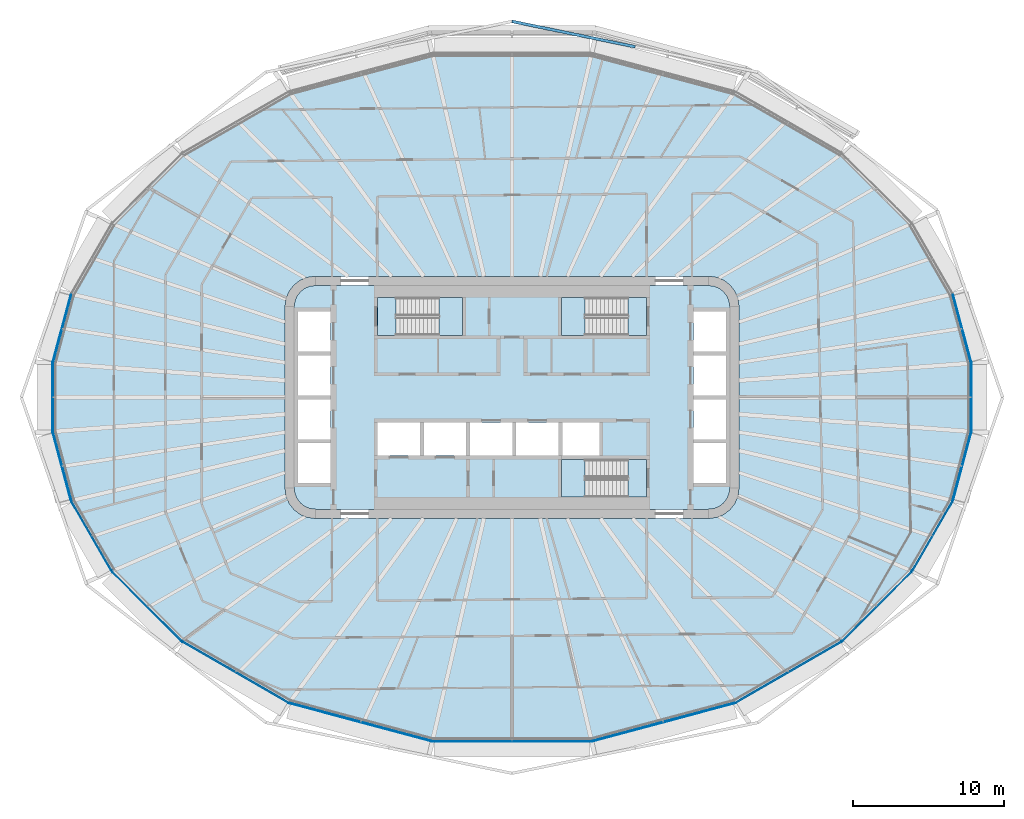
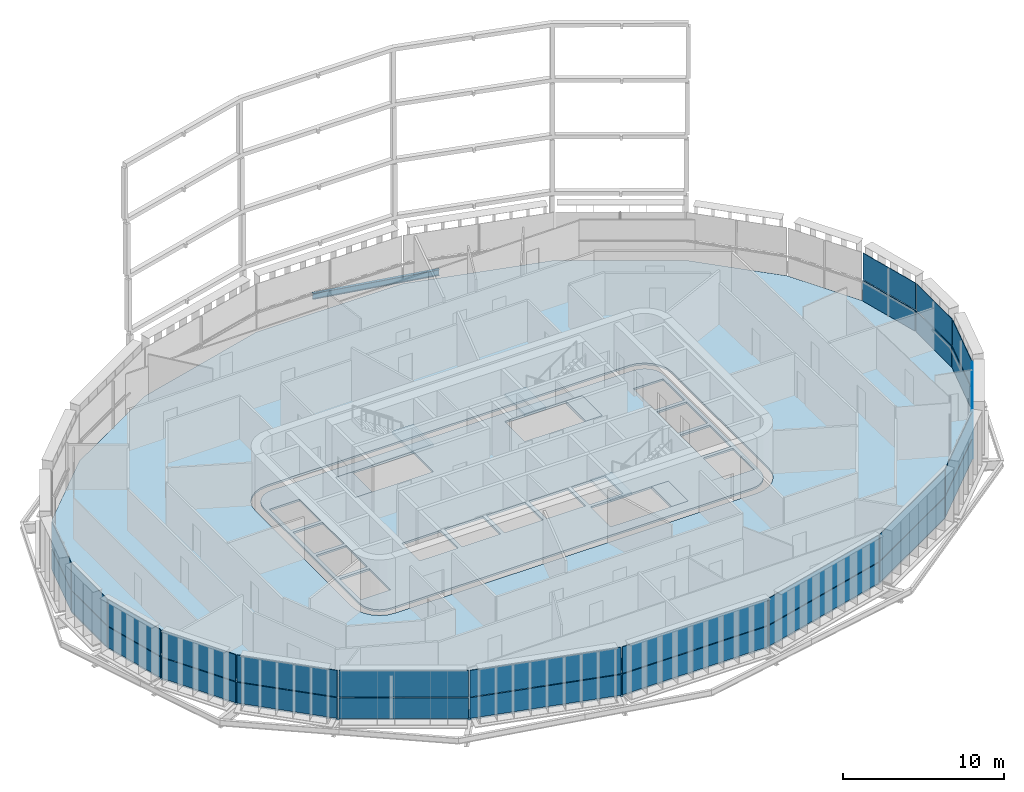
# One storey, part 9 of 22: 30 plates, 8 slabs, 1 beam, 18 elements without a shape of their own.
"""IFC4 building model written with IfcOpenShell, lengths in metres."""

from ifc_helpers import new_model, si_unit, direction, frame, origin, origin_2d, place, context, subcontext, project, spatial, polyline, i_section, outline, extrude, material, layer, layer_set, material_profile, profile_set, type_object, element, aggregate, save


model = new_model("IFC4")

# Units and contexts
model_context = context("Model", 3, precision=1e-05, world=origin(), true_north=direction((0.0, 1.0)))
body_context = subcontext(model_context, "Body", "Model", "MODEL_VIEW")
ifc_project = project(units=[si_unit("LENGTHUNIT", "METRE"), si_unit("AREAUNIT", "SQUARE_METRE"), si_unit("VOLUMEUNIT", "CUBIC_METRE"), si_unit("PLANEANGLEUNIT", "RADIAN"), si_unit("MASSUNIT", "GRAM", prefix="KILO")], contexts=[model_context])

# Site, building, storey
site_placement = place(None, origin())
site = spatial("IfcSite", under=ifc_project, at=site_placement, CompositionType="ELEMENT")
building_placement = place(site_placement, origin())
building = spatial("IfcBuilding", under=site, at=building_placement, Name="Sahrelin Media Tower", CompositionType="ELEMENT")
storey_placement = place(building_placement, frame((0.0, 0.0, 50.39990234375)))
storey = spatial("IfcBuildingStorey", under=building, at=storey_placement, Name="L07", CompositionType="ELEMENT", Elevation=50.39990234375)

# Beam
ifc_material_1 = material(Name="Steel S355", Category="steel")
ifc_material_profile = material_profile(ifc_material_1, i_section(OverallWidth=0.1904296875, OverallDepth=0.45703125, WebThickness=0.009033203125, FlangeThickness=0.014404296875, FilletRadius=0.01025390625, at=origin_2d()), Name="UB 457x191x74")
ifc_profile_set = profile_set([ifc_material_profile], Name="Steel S355")
beam_type = type_object("IfcBeamType", Name="Tie chord TC5", PredefinedType="BEAM", material=ifc_profile_set)
beam_placement = place(storey_placement, frame((0.0, 24.848388671875, -0.37841796875), z_axis=(0.979376603449, -0.202043234522, 0.0), x_axis=(0.202043234522, 0.979376603449, 0.0)))
element("IfcBeam", 1, at=beam_placement, inside=storey, type_object=beam_type, Name="Tie chord L07-19", PredefinedType="BEAM", context=body_context, shape_type="SweptSolid", body=[
    extrude(i_section(OverallWidth=0.1904296875, OverallDepth=0.45703125, WebThickness=0.009033203125, FlangeThickness=0.014404296875, FilletRadius=0.01025390625, at=origin_2d()), origin(), (0.0, 0.0, 1.0), 8.312255859375),
])

# Slabs
ifc_material_2 = material(Name="Concrete C40/50", Category="concrete")
ifc_layer_1 = layer(ifc_material_2, 0.14990234375)
ifc_layer_set_1 = layer_set([ifc_layer_1], Name="Composite floor slab 150")
slab_type_1 = type_object("IfcSlabType", Name="Composite floor slab 150", PredefinedType="FLOOR", material=ifc_layer_set_1)
placement_1 = place(storey_placement, frame((0.0, 0.0, -0.14990234375)))
element("IfcSlab", 2, at=placement_1, inside=storey, type_object=slab_type_1, Name="Floor slab L07", PredefinedType="FLOOR", context=body_context, shape_type="SweptSolid", body=[
    extrude(outline(polyline([(30.347412109375, -2.258544921875), (30.347412109375, 2.258544921875), (29.12451171875, 6.822998046875), (26.43408203125, 11.482666015625), (21.805908203125, 16.110595703125), (14.731689453125, 20.195068359375), (5.264404296875, 22.731689453125), (-5.264404296875, 22.731689453125), (-14.731689453125, 20.195068359375), (-21.805908203125, 16.110595703125), (-26.43408203125, 11.482666015625), (-29.12451171875, 6.822998046875), (-30.347412109375, 2.258544921875), (-30.347412109375, -2.258544921875), (-29.12451171875, -6.822998046875), (-26.43408203125, -11.482666015625), (-21.805908203125, -16.110595703125), (-14.731689453125, -20.195068359375), (-5.264404296875, -22.731689453125), (5.264404296875, -22.731689453125), (14.731689453125, -20.195068359375), (21.805908203125, -16.110595703125), (26.43408203125, -11.482666015625), (29.12451171875, -6.822998046875), (30.347412109375, -2.258544921875)]), holes=[polyline([(14.931884765625, 6.517578125), (15.0, 6.0), (15.0, -6.0), (14.931884765625, -6.517578125), (14.732177734375, -7.0), (14.414306640625, -7.414306640625), (14.0, -7.732177734375), (13.517578125, -7.931884765625), (13.0, -8.0), (-13.0, -8.0), (-13.517578125, -7.931884765625), (-14.0, -7.732177734375), (-14.414306640625, -7.414306640625), (-14.732177734375, -7.0), (-14.931884765625, -6.517578125), (-15.0, -6.0), (-15.0, 6.0), (-14.931884765625, 6.517578125), (-14.732177734375, 7.0), (-14.414306640625, 7.414306640625), (-14.0, 7.732177734375), (-13.517578125, 7.931884765625), (-13.0, 8.0), (13.0, 8.0), (13.517578125, 7.931884765625), (14.0, 7.732177734375), (14.414306640625, 7.414306640625), (14.732177734375, 7.0), (14.931884765625, 6.517578125)])]), origin(), (0.0, 0.0, 1.0), 0.14990234375),
])
ifc_layer_2 = layer(ifc_material_2, 0.14990234375)
ifc_layer_set_2 = layer_set([ifc_layer_2], Name="Core floor slab 150")
slab_type_2 = type_object("IfcSlabType", Name="Core floor slab 150", PredefinedType="FLOOR", material=ifc_layer_set_2)
element("IfcSlab", 3, at=placement_1, inside=storey, type_object=slab_type_2, Name="Core floor", PredefinedType="FLOOR", context=body_context, shape_type="SweptSolid", body=[
    extrude(outline(polyline([(-14.347412109375, 6.361083984375), (-14.39990234375, 5.960693359375), (-14.39990234375, -5.960693359375), (-14.347412109375, -6.361083984375), (-14.2080078125, -6.697509765625), (-13.986328125, -6.986328125), (-13.697509765625, -7.2080078125), (-13.361083984375, -7.347412109375), (-12.960693359375, -7.39990234375), (12.960693359375, -7.39990234375), (13.361083984375, -7.347412109375), (13.697509765625, -7.2080078125), (13.986328125, -6.986328125), (14.2080078125, -6.697509765625), (14.347412109375, -6.361083984375), (14.39990234375, -5.960693359375), (14.39990234375, 5.960693359375), (14.347412109375, 6.361083984375), (14.2080078125, 6.697509765625), (13.986328125, 6.986328125), (13.697509765625, 7.2080078125), (13.361083984375, 7.347412109375), (12.960693359375, 7.39990234375), (-12.960693359375, 7.39990234375), (-13.361083984375, 7.347412109375), (-13.697509765625, 7.2080078125), (-13.986328125, 6.986328125), (-14.2080078125, 6.697509765625), (-14.347412109375, 6.361083984375)]), holes=[polyline([(-12.0, 3.02490234375), (-12.0, 5.675048828125), (-14.14990234375, 5.675048828125), (-14.14990234375, 3.02490234375), (-12.0, 3.02490234375)]), polyline([(-14.14990234375, 0.125), (-12.0, 0.125), (-12.0, 2.77490234375), (-14.14990234375, 2.77490234375), (-14.14990234375, 0.125)]), polyline([(-14.14990234375, -0.125), (-14.14990234375, -2.77490234375), (-12.0, -2.77490234375), (-12.0, -0.125), (-14.14990234375, -0.125)]), polyline([(-12.0, -3.02490234375), (-14.14990234375, -3.02490234375), (-14.14990234375, -5.675048828125), (-12.0, -5.675048828125), (-12.0, -3.02490234375)]), polyline([(14.14990234375, 3.02490234375), (14.14990234375, 5.675048828125), (12.0, 5.675048828125), (12.0, 3.02490234375), (14.14990234375, 3.02490234375)]), polyline([(12.0, 0.125), (14.14990234375, 0.125), (14.14990234375, 2.77490234375), (12.0, 2.77490234375), (12.0, 0.125)]), polyline([(12.0, -0.125), (12.0, -2.77490234375), (14.14990234375, -2.77490234375), (14.14990234375, -0.125), (12.0, -0.125)]), polyline([(14.14990234375, -3.02490234375), (12.0, -3.02490234375), (12.0, -5.675048828125), (14.14990234375, -5.675048828125), (14.14990234375, -3.02490234375)]), polyline([(-6.074951171875, -3.85009765625), (-6.074951171875, -1.64990234375), (-8.875, -1.64990234375), (-8.875, -3.85009765625), (-6.074951171875, -3.85009765625)]), polyline([(-5.824951171875, -3.85009765625), (-3.02490234375, -3.85009765625), (-3.02490234375, -1.64990234375), (-5.824951171875, -1.64990234375), (-5.824951171875, -3.85009765625)]), polyline([(-2.77490234375, -1.64990234375), (-2.77490234375, -3.85009765625), (0.02490234375, -3.85009765625), (0.02490234375, -1.64990234375), (-2.77490234375, -1.64990234375)]), polyline([(3.074951171875, -1.64990234375), (0.27490234375, -1.64990234375), (0.27490234375, -3.85009765625), (3.074951171875, -3.85009765625), (3.074951171875, -1.64990234375)]), polyline([(5.77490234375, -3.85009765625), (5.77490234375, -1.64990234375), (3.324951171875, -1.64990234375), (3.324951171875, -3.85009765625), (5.77490234375, -3.85009765625)]), polyline([(-8.875, 6.60009765625), (-8.875, 4.10009765625), (-3.27490234375, 4.10009765625), (-3.27490234375, 6.60009765625), (-8.875, 6.60009765625)]), polyline([(3.27490234375, 4.10009765625), (8.875, 4.10009765625), (8.875, 6.60009765625), (3.27490234375, 6.60009765625), (3.27490234375, 4.10009765625)]), polyline([(3.27490234375, -4.10009765625), (3.27490234375, -6.60009765625), (8.875, -6.60009765625), (8.875, -4.10009765625), (3.27490234375, -4.10009765625)])]), origin(), (0.0, 0.0, 1.0), 0.14990234375),
])

# Curtain wall, plate
ifc_material_3 = material(Name="Champagne anodised aluminium 6063-T6", Category="aluminium")
ifc_layer_3 = layer(ifc_material_3, 0.14990234375)
ifc_layer_set_3 = layer_set([ifc_layer_3], Name="Tower ribbon curtain wall")
curtain_wall_type = type_object("IfcCurtainWallType", Name="Tower ribbon curtain wall", PredefinedType="NOTDEFINED", material=ifc_layer_set_3)
curtain_wall_1_placement = place(storey_placement, frame((30.3671875, 0.0, 0.0), z_axis=(0.0, 0.0, 1.0), x_axis=(1.0, 0.0, 0.0)))
curtain_wall_1 = element("IfcCurtainWall", 4, at=curtain_wall_1_placement, inside=storey, type_object=curtain_wall_type, Name="L07:CW:L07-00", PredefinedType="NOTDEFINED")
ifc_material_4 = material(Name="Clear low-iron glazing", Category="glass")
ifc_layer_4 = layer(ifc_material_4, 0.0400390625)
ifc_layer_set_4 = layer_set([ifc_layer_4], Name="Glazing panel 40 mm CW1")
plate_type_1 = type_object("IfcPlateType", Name="Glazing panel 40 mm CW1", PredefinedType="CURTAIN_PANEL", material=ifc_layer_set_4)
plate_1_placement = place(storey_placement, frame((30.38720703125, -2.211181640625, 1.630126953125), z_axis=(1.0, 0.0, 0.0), x_axis=(0.0, 1.0, 0.0)))
plate_1 = element("IfcPlate", 5, at=plate_1_placement, type_object=plate_type_1, Name="L07:CWP2:L07-00", PredefinedType="CURTAIN_PANEL", context=body_context, shape_type="SweptSolid", body=[
    extrude(outline(polyline([(0.0, 0.0), (4.42236328125, 0.0), (4.42236328125, 2.0185546875), (0.0, 2.0185546875), (0.0, 0.0)])), origin(), (0.0, 0.0, -1.0), 0.0400390625),
])

curtain_wall_2_placement = place(storey_placement, frame((29.755126953125, 4.5458984375, 0.0), z_axis=(0.0, 0.0, 1.0), x_axis=(1.0, 0.0, 0.0)))
curtain_wall_2 = element("IfcCurtainWall", 6, at=curtain_wall_2_placement, inside=storey, type_object=curtain_wall_type, Name="L07:CW:L07-01", PredefinedType="NOTDEFINED")
plate_2_placement = place(storey_placement, frame((30.373779296875, 2.314697265625, 1.630126953125), z_axis=(0.965927106832, 0.258814266003, 0.0), x_axis=(-0.258814266003, 0.965927106832, 0.0)))
plate_2 = element("IfcPlate", 7, at=plate_2_placement, type_object=plate_type_1, Name="L07:CWP2:L07-01", PredefinedType="CURTAIN_PANEL", context=body_context, shape_type="SweptSolid", body=[
    extrude(outline(polyline([(0.0, 0.0), (4.630615234375, 0.0), (4.630615234375, 2.0185546875), (0.0, 2.0185546875), (0.0, 0.0)])), origin(), (0.0, 0.0, -1.0), 0.0400390625),
])

curtain_wall_3_placement = place(storey_placement, frame((-29.755126953125, 4.5458984375, 0.0), z_axis=(0.0, 0.0, 1.0), x_axis=(1.0, 0.0, 0.0)))
curtain_wall_3 = element("IfcCurtainWall", 8, at=curtain_wall_3_placement, inside=storey, type_object=curtain_wall_type, Name="L07:CW:L07-11", PredefinedType="NOTDEFINED")
plate_3_placement = place(storey_placement, frame((-29.17529296875, 6.78759765625, 1.630126953125), z_axis=(-0.965927106832, 0.258814266003, 0.0), x_axis=(-0.258814266003, -0.965927106832, 0.0)))
plate_3 = element("IfcPlate", 9, at=plate_3_placement, type_object=plate_type_1, Name="L07:CWP2:L07-11", PredefinedType="CURTAIN_PANEL", context=body_context, shape_type="SweptSolid", body=[
    extrude(outline(polyline([(0.0, 0.0), (4.630615234375, 0.0), (4.630615234375, 2.0185546875), (0.0, 2.0185546875), (0.0, 0.0)])), origin(), (0.0, 0.0, -1.0), 0.0400390625),
])

curtain_wall_4_placement = place(storey_placement, frame((-30.3671875, 0.0, 0.0), z_axis=(0.0, 0.0, 1.0), x_axis=(1.0, 0.0, 0.0)))
curtain_wall_4 = element("IfcCurtainWall", 10, at=curtain_wall_4_placement, inside=storey, type_object=curtain_wall_type, Name="L07:CW:L07-12", PredefinedType="NOTDEFINED")
plate_4_placement = place(storey_placement, frame((-30.38720703125, 2.211181640625, 1.630126953125), z_axis=(-1.0, 0.0, 0.0), x_axis=(0.0, -1.0, 0.0)))
plate_4 = element("IfcPlate", 11, at=plate_4_placement, type_object=plate_type_1, Name="L07:CWP2:L07-12", PredefinedType="CURTAIN_PANEL", context=body_context, shape_type="SweptSolid", body=[
    extrude(outline(polyline([(0.0, 0.0), (4.42236328125, 0.0), (4.42236328125, 2.0185546875), (0.0, 2.0185546875), (0.0, 0.0)])), origin(), (0.0, 0.0, -1.0), 0.0400390625),
])

curtain_wall_5_placement = place(storey_placement, frame((-29.755126953125, -4.5458984375, 0.0), z_axis=(0.0, 0.0, 1.0), x_axis=(1.0, 0.0, 0.0)))
curtain_wall_5 = element("IfcCurtainWall", 12, at=curtain_wall_5_placement, inside=storey, type_object=curtain_wall_type, Name="L07:CW:L07-13", PredefinedType="NOTDEFINED")
plate_5_placement = place(storey_placement, frame((-30.373779296875, -2.314697265625, 1.630126953125), z_axis=(-0.965927106832, -0.258814266003, 0.0), x_axis=(0.258814266003, -0.965927106832, 0.0)))
plate_5 = element("IfcPlate", 13, at=plate_5_placement, type_object=plate_type_1, Name="L07:CWP2:L07-13", PredefinedType="CURTAIN_PANEL", context=body_context, shape_type="SweptSolid", body=[
    extrude(outline(polyline([(0.0, 0.0), (4.630615234375, 0.0), (4.630615234375, 2.0185546875), (0.0, 2.0185546875), (0.0, 0.0)])), origin(), (0.0, 0.0, -1.0), 0.0400390625),
])

curtain_wall_6_placement = place(storey_placement, frame((-27.79638671875, -9.162841796875, 0.0), z_axis=(0.0, 0.0, 1.0), x_axis=(1.0, 0.0, 0.0)))
curtain_wall_6 = element("IfcCurtainWall", 14, at=curtain_wall_6_placement, inside=storey, type_object=curtain_wall_type, Name="L07:CW:L07-14", PredefinedType="NOTDEFINED")
plate_6_placement = place(storey_placement, frame((-29.13525390625, -6.8837890625, 1.630126953125), z_axis=(-0.866023301845, -0.500003640647, 0.0), x_axis=(0.500003640647, -0.866023301845, 0.0)))
plate_6 = element("IfcPlate", 15, at=plate_6_placement, type_object=plate_type_1, Name="L07:CWP2:L07-14", PredefinedType="CURTAIN_PANEL", context=body_context, shape_type="SweptSolid", body=[
    extrude(outline(polyline([(0.0, 0.0), (5.2861328125, 0.0), (5.2861328125, 2.0185546875), (0.0, 2.0185546875), (0.0, 0.0)])), origin(), (0.0, 0.0, -1.0), 0.0400390625),
])

curtain_wall_7_placement = place(storey_placement, frame((-24.13427734375, -13.810791015625, 0.0), z_axis=(0.0, 0.0, 1.0), x_axis=(1.0, 0.0, 0.0)))
curtain_wall_7 = element("IfcCurtainWall", 16, at=curtain_wall_7_placement, inside=storey, type_object=curtain_wall_type, Name="L07:CW:L07-15", PredefinedType="NOTDEFINED")
plate_7_placement = place(storey_placement, frame((-26.4287109375, -11.54443359375, 1.630126953125), z_axis=(-0.707125706255, -0.707087855612, 0.0), x_axis=(0.707087855612, -0.707125706255, 0.0)))
plate_7 = element("IfcPlate", 17, at=plate_7_placement, type_object=plate_type_1, Name="L07:CWP2:L07-15", PredefinedType="CURTAIN_PANEL", context=body_context, shape_type="SweptSolid", body=[
    extrude(outline(polyline([(0.0, 0.0), (6.4501953125, 0.0), (6.4501953125, 2.0185546875), (0.0, 2.0185546875), (0.0, 0.0)])), origin(), (0.0, 0.0, -1.0), 0.0400390625),
])

curtain_wall_8_placement = place(storey_placement, frame((-18.27880859375, -18.170166015625, 0.0), z_axis=(0.0, 0.0, 1.0), x_axis=(1.0, 0.0, 0.0)))
curtain_wall_8 = element("IfcCurtainWall", 18, at=curtain_wall_8_placement, inside=storey, type_object=curtain_wall_type, Name="L07:CW:L07-16", PredefinedType="NOTDEFINED")
plate_8_placement = place(storey_placement, frame((-21.784912109375, -16.1689453125, 1.630126953125), z_axis=(-0.500015609314, -0.866016391555, 0.0), x_axis=(0.866016391555, -0.500015609314, 0.0)))
plate_8 = element("IfcPlate", 19, at=plate_8_placement, type_object=plate_type_1, Name="L07:CWP2:L07-16", PredefinedType="CURTAIN_PANEL", context=body_context, shape_type="SweptSolid", body=[
    extrude(outline(polyline([(0.0, 0.0), (8.073974609375, 0.0), (8.073974609375, 2.0185546875), (0.0, 2.0185546875), (0.0, 0.0)])), origin(), (0.0, 0.0, -1.0), 0.0400390625),
])

curtain_wall_9_placement = place(storey_placement, frame((-10.003173828125, -21.48291015625, 0.0), z_axis=(0.0, 0.0, 1.0), x_axis=(1.0, 0.0, 0.0)))
curtain_wall_9 = element("IfcCurtainWall", 20, at=curtain_wall_9_placement, inside=storey, type_object=curtain_wall_type, Name="L07:CW:L07-17", PredefinedType="NOTDEFINED")
plate_9_placement = place(storey_placement, frame((-14.6962890625, -20.24609375, 1.630126953125), z_axis=(-0.258811517238, -0.965927843343, 0.0), x_axis=(0.965927843343, -0.258811517238, 0.0)))
plate_9 = element("IfcPlate", 21, at=plate_9_placement, type_object=plate_type_1, Name="L07:CWP2:L07-17", PredefinedType="CURTAIN_PANEL", context=body_context, shape_type="SweptSolid", body=[
    extrude(outline(polyline([(0.0, 0.0), (9.706787109375, 0.0), (9.706787109375, 2.0185546875), (0.0, 2.0185546875), (0.0, 0.0)])), origin(), (0.0, 0.0, -1.0), 0.0400390625),
])

curtain_wall_10_placement = place(storey_placement, frame((0.0, -22.751708984375, 0.0), z_axis=(0.0, 0.0, 1.0), x_axis=(1.0, 0.0, 0.0)))
curtain_wall_10 = element("IfcCurtainWall", 22, at=curtain_wall_10_placement, inside=storey, type_object=curtain_wall_type, Name="L07:CW:L07-18", PredefinedType="NOTDEFINED")
plate_10_placement = place(storey_placement, frame((-5.216796875, -22.771728515625, 1.630126953125), z_axis=(0.0, -1.0, 0.0), x_axis=(1.0, 0.0, 0.0)))
plate_10 = element("IfcPlate", 23, at=plate_10_placement, type_object=plate_type_1, Name="L07:CWP2:L07-18", PredefinedType="CURTAIN_PANEL", context=body_context, shape_type="SweptSolid", body=[
    extrude(outline(polyline([(0.0, 0.0), (10.43359375, 0.0), (10.43359375, 2.0185546875), (0.0, 2.0185546875), (0.0, 0.0)])), origin(), (0.0, 0.0, -1.0), 0.0400390625),
])

curtain_wall_11_placement = place(storey_placement, frame((10.003173828125, -21.482666015625, 0.0), z_axis=(0.0, 0.0, 1.0), x_axis=(1.0, 0.0, 0.0)))
curtain_wall_11 = element("IfcCurtainWall", 24, at=curtain_wall_11_placement, inside=storey, type_object=curtain_wall_type, Name="L07:CW:L07-19", PredefinedType="NOTDEFINED")
plate_11_placement = place(storey_placement, frame((5.3203125, -22.75830078125, 1.630126953125), z_axis=(0.258811517238, -0.965927843343, 0.0), x_axis=(0.965927843343, 0.258811517238, 0.0)))
plate_11 = element("IfcPlate", 25, at=plate_11_placement, type_object=plate_type_1, Name="L07:CWP2:L07-19", PredefinedType="CURTAIN_PANEL", context=body_context, shape_type="SweptSolid", body=[
    extrude(outline(polyline([(0.0, 0.0), (9.706787109375, 0.0), (9.706787109375, 2.0185546875), (0.0, 2.0185546875), (0.0, 0.0)])), origin(), (0.0, 0.0, -1.0), 0.0400390625),
])

curtain_wall_12_placement = place(storey_placement, frame((18.27880859375, -18.170166015625, 0.0), z_axis=(0.0, 0.0, 1.0), x_axis=(1.0, 0.0, 0.0)))
curtain_wall_12 = element("IfcCurtainWall", 26, at=curtain_wall_12_placement, inside=storey, type_object=curtain_wall_type, Name="L07:CW:L07-20", PredefinedType="NOTDEFINED")
plate_12_placement = place(storey_placement, frame((14.792724609375, -20.2060546875, 1.630126953125), z_axis=(0.500015609314, -0.866016391555, 0.0), x_axis=(0.866016391555, 0.500015609314, 0.0)))
plate_12 = element("IfcPlate", 27, at=plate_12_placement, type_object=plate_type_1, Name="L07:CWP2:L07-20", PredefinedType="CURTAIN_PANEL", context=body_context, shape_type="SweptSolid", body=[
    extrude(outline(polyline([(0.0, 0.0), (8.073974609375, 0.0), (8.073974609375, 2.0185546875), (0.0, 2.0185546875), (0.0, 0.0)])), origin(), (0.0, 0.0, -1.0), 0.0400390625),
])

curtain_wall_13_placement = place(storey_placement, frame((24.134033203125, -13.810791015625, 0.0), z_axis=(0.0, 0.0, 1.0), x_axis=(1.0, 0.0, 0.0)))
curtain_wall_13 = element("IfcCurtainWall", 28, at=curtain_wall_13_placement, inside=storey, type_object=curtain_wall_type, Name="L07:CW:L07-21", PredefinedType="NOTDEFINED")
plate_13_placement = place(storey_placement, frame((21.867919921875, -16.10546875, 1.630126953125), z_axis=(0.707125706255, -0.707087855612, 0.0), x_axis=(0.707087855612, 0.707125706255, 0.0)))
plate_13 = element("IfcPlate", 29, at=plate_13_placement, type_object=plate_type_1, Name="L07:CWP2:L07-21", PredefinedType="CURTAIN_PANEL", context=body_context, shape_type="SweptSolid", body=[
    extrude(outline(polyline([(0.0, 0.0), (6.4501953125, 0.0), (6.4501953125, 2.0185546875), (0.0, 2.0185546875), (0.0, 0.0)])), origin(), (0.0, 0.0, -1.0), 0.0400390625),
])

curtain_wall_14_placement = place(storey_placement, frame((27.79638671875, -9.162841796875, 0.0), z_axis=(0.0, 0.0, 1.0), x_axis=(1.0, 0.0, 0.0)))
curtain_wall_14 = element("IfcCurtainWall", 30, at=curtain_wall_14_placement, inside=storey, type_object=curtain_wall_type, Name="L07:CW:L07-22", PredefinedType="NOTDEFINED")
plate_14_placement = place(storey_placement, frame((26.4921875, -11.461669921875, 1.630126953125), z_axis=(0.866023301845, -0.500003640647, 0.0), x_axis=(0.500003640647, 0.866023301845, 0.0)))
plate_14 = element("IfcPlate", 31, at=plate_14_placement, type_object=plate_type_1, Name="L07:CWP2:L07-22", PredefinedType="CURTAIN_PANEL", context=body_context, shape_type="SweptSolid", body=[
    extrude(outline(polyline([(0.0, 0.0), (5.2861328125, 0.0), (5.2861328125, 2.0185546875), (0.0, 2.0185546875), (0.0, 0.0)])), origin(), (0.0, 0.0, -1.0), 0.0400390625),
])

curtain_wall_15_placement = place(storey_placement, frame((29.755126953125, -4.5458984375, 0.0), z_axis=(0.0, 0.0, 1.0), x_axis=(1.0, 0.0, 0.0)))
curtain_wall_15 = element("IfcCurtainWall", 32, at=curtain_wall_15_placement, inside=storey, type_object=curtain_wall_type, Name="L07:CW:L07-23", PredefinedType="NOTDEFINED")
plate_15_placement = place(storey_placement, frame((29.17529296875, -6.78759765625, 1.630126953125), z_axis=(0.965927106832, -0.258814266003, 0.0), x_axis=(0.258814266003, 0.965927106832, 0.0)))
plate_15 = element("IfcPlate", 33, at=plate_15_placement, type_object=plate_type_1, Name="L07:CWP2:L07-23", PredefinedType="CURTAIN_PANEL", context=body_context, shape_type="SweptSolid", body=[
    extrude(outline(polyline([(0.0, 0.0), (4.630615234375, 0.0), (4.630615234375, 2.0185546875), (0.0, 2.0185546875), (0.0, 0.0)])), origin(), (0.0, 0.0, -1.0), 0.0400390625),
])

# Plate
ifc_material_5 = material(Name="Insulated spandrel panel")
ifc_layer_5 = layer(ifc_material_5, 0.06005859375)
ifc_layer_set_5 = layer_set([ifc_layer_5], Name="Spandrel panel 60 mm CW1")
plate_type_2 = type_object("IfcPlateType", Name="Spandrel panel 60 mm CW1", PredefinedType="SHEET", material=ifc_layer_set_5)
plate_16_placement = place(storey_placement, frame((30.38720703125, -2.211181640625, 0.0), z_axis=(1.0, 0.0, 0.0), x_axis=(0.0, 1.0, 0.0)))
plate_16 = element("IfcPlate", 34, at=plate_16_placement, type_object=plate_type_2, Name="L07:CWP1:L07-00", PredefinedType="SHEET", context=body_context, shape_type="SweptSolid", body=[
    extrude(outline(polyline([(0.0, 0.0), (4.42236328125, 0.0), (4.42236328125, 1.570068359375), (0.0, 1.570068359375), (0.0, 0.0)])), origin(), (0.0, 0.0, -1.0), 0.06005859375),
])

aggregate(curtain_wall_1, [plate_16, plate_1])

plate_17_placement = place(storey_placement, frame((30.373779296875, 2.314697265625, 0.0), z_axis=(0.965927106832, 0.258814266003, 0.0), x_axis=(-0.258814266003, 0.965927106832, 0.0)))
plate_17 = element("IfcPlate", 35, at=plate_17_placement, type_object=plate_type_2, Name="L07:CWP1:L07-01", PredefinedType="SHEET", context=body_context, shape_type="SweptSolid", body=[
    extrude(outline(polyline([(0.0, 0.0), (4.630615234375, 0.0), (4.630615234375, 1.570068359375), (0.0, 1.570068359375), (0.0, 0.0)])), origin(), (0.0, 0.0, -1.0), 0.06005859375),
])

aggregate(curtain_wall_2, [plate_17, plate_2])

plate_18_placement = place(storey_placement, frame((-29.17529296875, 6.78759765625, 0.0), z_axis=(-0.965927106832, 0.258814266003, 0.0), x_axis=(-0.258814266003, -0.965927106832, 0.0)))
plate_18 = element("IfcPlate", 36, at=plate_18_placement, type_object=plate_type_2, Name="L07:CWP1:L07-11", PredefinedType="SHEET", context=body_context, shape_type="SweptSolid", body=[
    extrude(outline(polyline([(0.0, 0.0), (4.630615234375, 0.0), (4.630615234375, 1.570068359375), (0.0, 1.570068359375), (0.0, 0.0)])), origin(), (0.0, 0.0, -1.0), 0.06005859375),
])

aggregate(curtain_wall_3, [plate_18, plate_3])

plate_19_placement = place(storey_placement, frame((-30.38720703125, 2.211181640625, 0.0), z_axis=(-1.0, 0.0, 0.0), x_axis=(0.0, -1.0, 0.0)))
plate_19 = element("IfcPlate", 37, at=plate_19_placement, type_object=plate_type_2, Name="L07:CWP1:L07-12", PredefinedType="SHEET", context=body_context, shape_type="SweptSolid", body=[
    extrude(outline(polyline([(0.0, 0.0), (4.42236328125, 0.0), (4.42236328125, 1.570068359375), (0.0, 1.570068359375), (0.0, 0.0)])), origin(), (0.0, 0.0, -1.0), 0.06005859375),
])

aggregate(curtain_wall_4, [plate_19, plate_4])

plate_20_placement = place(storey_placement, frame((-30.373779296875, -2.314697265625, 0.0), z_axis=(-0.965927106832, -0.258814266003, 0.0), x_axis=(0.258814266003, -0.965927106832, 0.0)))
plate_20 = element("IfcPlate", 38, at=plate_20_placement, type_object=plate_type_2, Name="L07:CWP1:L07-13", PredefinedType="SHEET", context=body_context, shape_type="SweptSolid", body=[
    extrude(outline(polyline([(0.0, 0.0), (4.630615234375, 0.0), (4.630615234375, 1.570068359375), (0.0, 1.570068359375), (0.0, 0.0)])), origin(), (0.0, 0.0, -1.0), 0.06005859375),
])

aggregate(curtain_wall_5, [plate_20, plate_5])

plate_21_placement = place(storey_placement, frame((-29.13525390625, -6.8837890625, 0.0), z_axis=(-0.866023301845, -0.500003640647, 0.0), x_axis=(0.500003640647, -0.866023301845, 0.0)))
plate_21 = element("IfcPlate", 39, at=plate_21_placement, type_object=plate_type_2, Name="L07:CWP1:L07-14", PredefinedType="SHEET", context=body_context, shape_type="SweptSolid", body=[
    extrude(outline(polyline([(0.0, 0.0), (5.2861328125, 0.0), (5.2861328125, 1.570068359375), (0.0, 1.570068359375), (0.0, 0.0)])), origin(), (0.0, 0.0, -1.0), 0.06005859375),
])

aggregate(curtain_wall_6, [plate_21, plate_6])

plate_22_placement = place(storey_placement, frame((-26.4287109375, -11.54443359375, 0.0), z_axis=(-0.707125706255, -0.707087855612, 0.0), x_axis=(0.707087855612, -0.707125706255, 0.0)))
plate_22 = element("IfcPlate", 40, at=plate_22_placement, type_object=plate_type_2, Name="L07:CWP1:L07-15", PredefinedType="SHEET", context=body_context, shape_type="SweptSolid", body=[
    extrude(outline(polyline([(0.0, 0.0), (6.4501953125, 0.0), (6.4501953125, 1.570068359375), (0.0, 1.570068359375), (0.0, 0.0)])), origin(), (0.0, 0.0, -1.0), 0.06005859375),
])

aggregate(curtain_wall_7, [plate_22, plate_7])

plate_23_placement = place(storey_placement, frame((-21.784912109375, -16.1689453125, 0.0), z_axis=(-0.500015609314, -0.866016391555, 0.0), x_axis=(0.866016391555, -0.500015609314, 0.0)))
plate_23 = element("IfcPlate", 41, at=plate_23_placement, type_object=plate_type_2, Name="L07:CWP1:L07-16", PredefinedType="SHEET", context=body_context, shape_type="SweptSolid", body=[
    extrude(outline(polyline([(0.0, 0.0), (8.073974609375, 0.0), (8.073974609375, 1.570068359375), (0.0, 1.570068359375), (0.0, 0.0)])), origin(), (0.0, 0.0, -1.0), 0.06005859375),
])

aggregate(curtain_wall_8, [plate_23, plate_8])

plate_24_placement = place(storey_placement, frame((-14.6962890625, -20.24609375, 0.0), z_axis=(-0.258811517238, -0.965927843343, 0.0), x_axis=(0.965927843343, -0.258811517238, 0.0)))
plate_24 = element("IfcPlate", 42, at=plate_24_placement, type_object=plate_type_2, Name="L07:CWP1:L07-17", PredefinedType="SHEET", context=body_context, shape_type="SweptSolid", body=[
    extrude(outline(polyline([(0.0, 0.0), (9.706787109375, 0.0), (9.706787109375, 1.570068359375), (0.0, 1.570068359375), (0.0, 0.0)])), origin(), (0.0, 0.0, -1.0), 0.06005859375),
])

aggregate(curtain_wall_9, [plate_24, plate_9])

plate_25_placement = place(storey_placement, frame((-5.216796875, -22.771728515625, 0.0), z_axis=(0.0, -1.0, 0.0), x_axis=(1.0, 0.0, 0.0)))
plate_25 = element("IfcPlate", 43, at=plate_25_placement, type_object=plate_type_2, Name="L07:CWP1:L07-18", PredefinedType="SHEET", context=body_context, shape_type="SweptSolid", body=[
    extrude(outline(polyline([(0.0, 0.0), (10.43359375, 0.0), (10.43359375, 1.570068359375), (0.0, 1.570068359375), (0.0, 0.0)])), origin(), (0.0, 0.0, -1.0), 0.06005859375),
])

aggregate(curtain_wall_10, [plate_25, plate_10])

plate_26_placement = place(storey_placement, frame((5.3203125, -22.75830078125, 0.0), z_axis=(0.258811517238, -0.965927843343, 0.0), x_axis=(0.965927843343, 0.258811517238, 0.0)))
plate_26 = element("IfcPlate", 44, at=plate_26_placement, type_object=plate_type_2, Name="L07:CWP1:L07-19", PredefinedType="SHEET", context=body_context, shape_type="SweptSolid", body=[
    extrude(outline(polyline([(0.0, 0.0), (9.706787109375, 0.0), (9.706787109375, 1.570068359375), (0.0, 1.570068359375), (0.0, 0.0)])), origin(), (0.0, 0.0, -1.0), 0.06005859375),
])

aggregate(curtain_wall_11, [plate_26, plate_11])

plate_27_placement = place(storey_placement, frame((14.792724609375, -20.2060546875, 0.0), z_axis=(0.500015609314, -0.866016391555, 0.0), x_axis=(0.866016391555, 0.500015609314, 0.0)))
plate_27 = element("IfcPlate", 45, at=plate_27_placement, type_object=plate_type_2, Name="L07:CWP1:L07-20", PredefinedType="SHEET", context=body_context, shape_type="SweptSolid", body=[
    extrude(outline(polyline([(0.0, 0.0), (8.073974609375, 0.0), (8.073974609375, 1.570068359375), (0.0, 1.570068359375), (0.0, 0.0)])), origin(), (0.0, 0.0, -1.0), 0.06005859375),
])

aggregate(curtain_wall_12, [plate_27, plate_12])

plate_28_placement = place(storey_placement, frame((21.867919921875, -16.10546875, 0.0), z_axis=(0.707125706255, -0.707087855612, 0.0), x_axis=(0.707087855612, 0.707125706255, 0.0)))
plate_28 = element("IfcPlate", 46, at=plate_28_placement, type_object=plate_type_2, Name="L07:CWP1:L07-21", PredefinedType="SHEET", context=body_context, shape_type="SweptSolid", body=[
    extrude(outline(polyline([(0.0, 0.0), (6.4501953125, 0.0), (6.4501953125, 1.570068359375), (0.0, 1.570068359375), (0.0, 0.0)])), origin(), (0.0, 0.0, -1.0), 0.06005859375),
])

aggregate(curtain_wall_13, [plate_28, plate_13])

plate_29_placement = place(storey_placement, frame((26.4921875, -11.461669921875, 0.0), z_axis=(0.866023301845, -0.500003640647, 0.0), x_axis=(0.500003640647, 0.866023301845, 0.0)))
plate_29 = element("IfcPlate", 47, at=plate_29_placement, type_object=plate_type_2, Name="L07:CWP1:L07-22", PredefinedType="SHEET", context=body_context, shape_type="SweptSolid", body=[
    extrude(outline(polyline([(0.0, 0.0), (5.2861328125, 0.0), (5.2861328125, 1.570068359375), (0.0, 1.570068359375), (0.0, 0.0)])), origin(), (0.0, 0.0, -1.0), 0.06005859375),
])

aggregate(curtain_wall_14, [plate_29, plate_14])

plate_30_placement = place(storey_placement, frame((29.17529296875, -6.78759765625, 0.0), z_axis=(0.965927106832, -0.258814266003, 0.0), x_axis=(0.258814266003, 0.965927106832, 0.0)))
plate_30 = element("IfcPlate", 48, at=plate_30_placement, type_object=plate_type_2, Name="L07:CWP1:L07-23", PredefinedType="SHEET", context=body_context, shape_type="SweptSolid", body=[
    extrude(outline(polyline([(0.0, 0.0), (4.630615234375, 0.0), (4.630615234375, 1.570068359375), (0.0, 1.570068359375), (0.0, 0.0)])), origin(), (0.0, 0.0, -1.0), 0.06005859375),
])

aggregate(curtain_wall_15, [plate_30, plate_15])

# Stair, slabs
stair_type = type_object("IfcStairType", Name="Exit stair 1200", PredefinedType="HALF_TURN_STAIR", material=ifc_material_2)
placement_2 = place(storey_placement, origin())
stair_1 = element("IfcStair", 49, at=placement_2, inside=storey, type_object=stair_type, Name="L07 Exit stair ST1", PredefinedType="HALF_TURN_STAIR")
ifc_layer_6 = layer(ifc_material_2, 0.199951171875)
ifc_layer_set_6 = layer_set([ifc_layer_6], Name="Stair landing 200")
slab_type_3 = type_object("IfcSlabType", Name="Stair landing 200", PredefinedType="LANDING", material=ifc_layer_set_6)
placement_3 = place(storey_placement, frame((0.0, 0.0, 1.900146484375)))
slab_3 = element("IfcSlab", 50, at=placement_3, type_object=slab_type_3, Name="ST1 landing 1", PredefinedType="LANDING", context=body_context, shape_type="SweptSolid", body=[
    extrude(outline(polyline([(-4.81494140625, 4.10009765625), (-3.27490234375, 4.10009765625), (-3.27490234375, 6.60009765625), (-4.81494140625, 6.60009765625), (-4.81494140625, 4.10009765625)])), origin(), (0.0, 0.0, 1.0), 0.199951171875),
])
placement_4 = place(storey_placement, frame((0.0, 0.0, -0.199951171875)))
slab_4 = element("IfcSlab", 51, at=placement_4, type_object=slab_type_3, Name="ST1 landing 2", PredefinedType="LANDING", context=body_context, shape_type="SweptSolid", body=[
    extrude(outline(polyline([(-8.875, 4.10009765625), (-7.675048828125, 4.10009765625), (-7.675048828125, 6.60009765625), (-8.875, 6.60009765625), (-8.875, 4.10009765625)])), origin(), (0.0, 0.0, 1.0), 0.199951171875),
])
aggregate(stair_1, [slab_3, slab_4])

stair_2 = element("IfcStair", 52, at=placement_2, inside=storey, type_object=stair_type, Name="L07 Exit stair ST3", PredefinedType="HALF_TURN_STAIR")
slab_5 = element("IfcSlab", 53, at=placement_3, type_object=slab_type_3, Name="ST3 landing 1", PredefinedType="LANDING", context=body_context, shape_type="SweptSolid", body=[
    extrude(outline(polyline([(4.81494140625, 6.60009765625), (3.27490234375, 6.60009765625), (3.27490234375, 4.10009765625), (4.81494140625, 4.10009765625), (4.81494140625, 6.60009765625)])), origin(), (0.0, 0.0, 1.0), 0.199951171875),
])
slab_6 = element("IfcSlab", 54, at=placement_4, type_object=slab_type_3, Name="ST3 landing 2", PredefinedType="LANDING", context=body_context, shape_type="SweptSolid", body=[
    extrude(outline(polyline([(8.875, 6.60009765625), (7.675048828125, 6.60009765625), (7.675048828125, 4.10009765625), (8.875, 4.10009765625), (8.875, 6.60009765625)])), origin(), (0.0, 0.0, 1.0), 0.199951171875),
])
aggregate(stair_2, [slab_5, slab_6])

stair_3 = element("IfcStair", 55, at=placement_2, inside=storey, type_object=stair_type, Name="L07 Exit stair ST2", PredefinedType="HALF_TURN_STAIR")
slab_7 = element("IfcSlab", 56, at=placement_3, type_object=slab_type_3, Name="ST2 landing 1", PredefinedType="LANDING", context=body_context, shape_type="SweptSolid", body=[
    extrude(outline(polyline([(4.81494140625, -4.10009765625), (3.27490234375, -4.10009765625), (3.27490234375, -6.60009765625), (4.81494140625, -6.60009765625), (4.81494140625, -4.10009765625)])), origin(), (0.0, 0.0, 1.0), 0.199951171875),
])
slab_8 = element("IfcSlab", 57, at=placement_4, type_object=slab_type_3, Name="ST2 landing 2", PredefinedType="LANDING", context=body_context, shape_type="SweptSolid", body=[
    extrude(outline(polyline([(8.875, -4.10009765625), (7.675048828125, -4.10009765625), (7.675048828125, -6.60009765625), (8.875, -6.60009765625), (8.875, -4.10009765625)])), origin(), (0.0, 0.0, 1.0), 0.199951171875),
])
aggregate(stair_3, [slab_7, slab_8])

save(model, "model.ifc")
